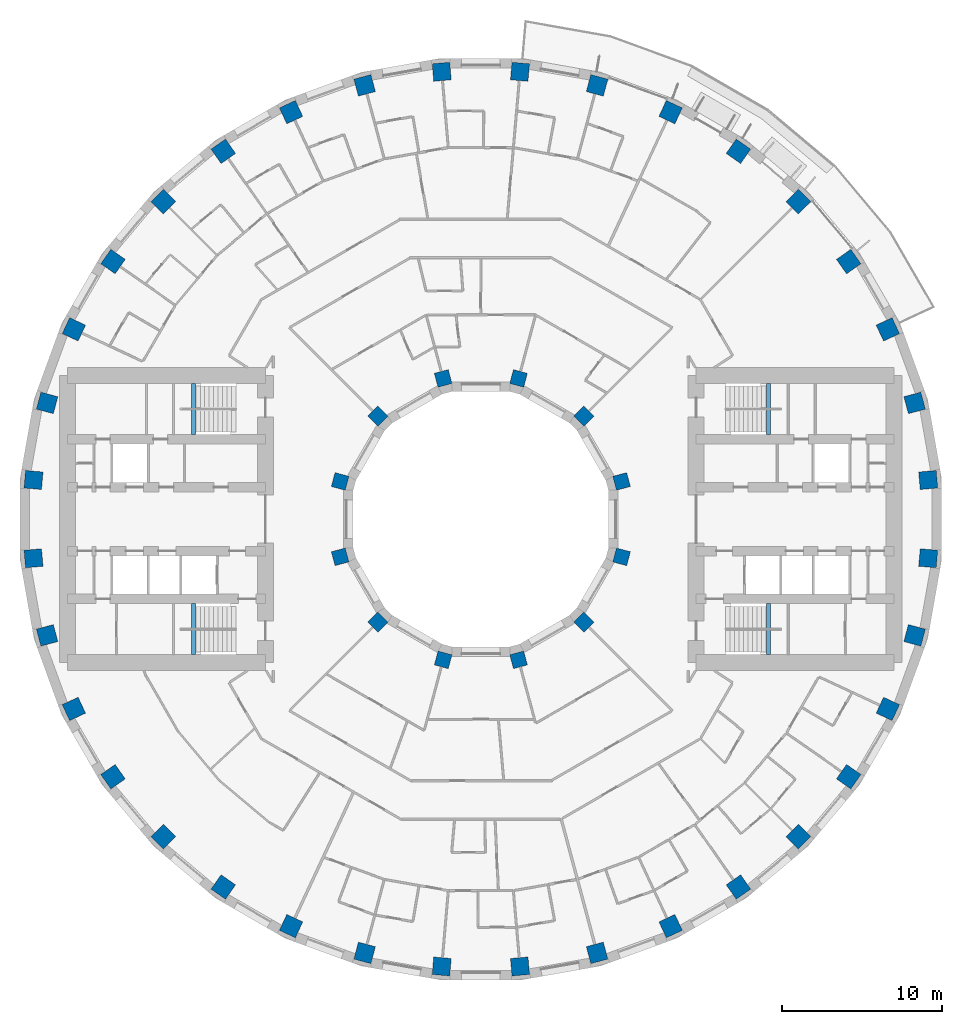
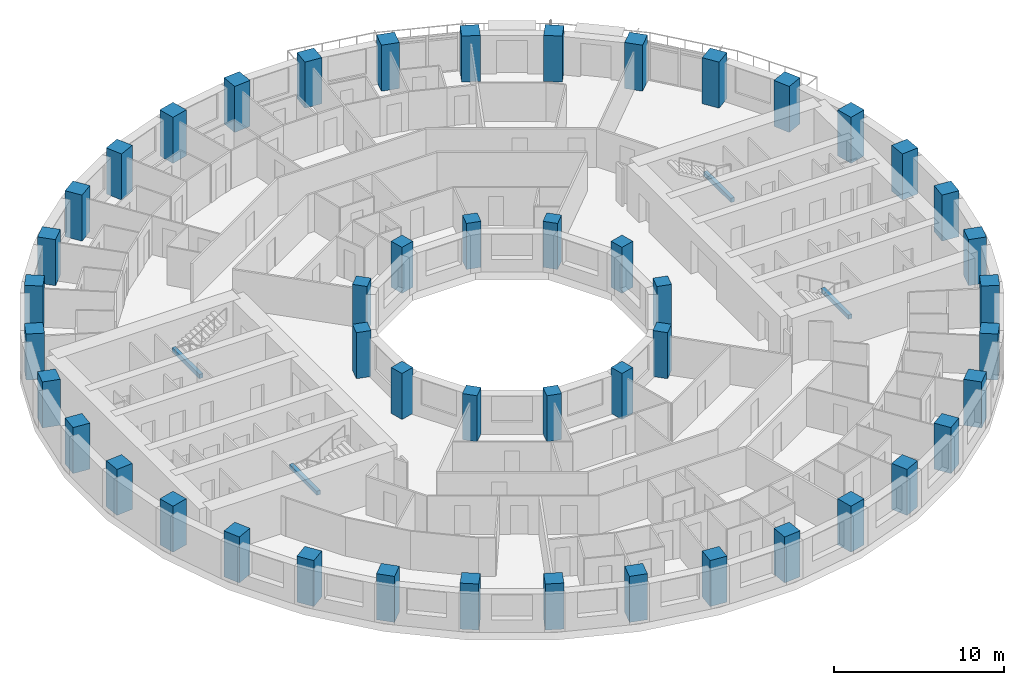
# One storey, part 1 of 15: 48 columns, 4 beams.
"""IFC4 building model written with IfcOpenShell, lengths in metres."""

from ifc_helpers import new_model, si_unit, direction, frame, origin, origin_2d, place, context, subcontext, project, spatial, rectangle, extrude, material, material_profile, profile_set, type_object, element, save


model = new_model("IFC4")

# Units and contexts
model_context = context("Model", 3, precision=1e-05, world=origin(), true_north=direction((0.0, 1.0)))
body_context = subcontext(model_context, "Body", "Model", "MODEL_VIEW")
ifc_project = project(units=[si_unit("LENGTHUNIT", "METRE"), si_unit("AREAUNIT", "SQUARE_METRE"), si_unit("VOLUMEUNIT", "CUBIC_METRE"), si_unit("PLANEANGLEUNIT", "RADIAN"), si_unit("MASSUNIT", "GRAM", prefix="KILO")], contexts=[model_context])

# Site, building, storey
site_placement = place(None, origin())
site = spatial("IfcSite", under=ifc_project, at=site_placement, CompositionType="ELEMENT")
building_placement = place(site_placement, origin())
building = spatial("IfcBuilding", under=site, at=building_placement, Name="Saqina Gate Tower", CompositionType="ELEMENT")
storey_placement = place(building_placement, frame((0.0, 0.0, 69.199951171875)))
storey = spatial("IfcBuildingStorey", under=building, at=storey_placement, Name="L19", CompositionType="ELEMENT", Elevation=69.199951171875)

# Columns
ifc_material_1 = material(Name="Concrete C70/85", Category="concrete")
ifc_material_profile_1 = material_profile(ifc_material_1, rectangle(XDim=0.89990234375, YDim=0.89990234375, at=origin_2d()), Name="RC 900x900")
ifc_profile_set_1 = profile_set([ifc_material_profile_1], Name="Concrete C70/85")
column_type_1 = type_object("IfcColumnType", Name="STR-COL-IN-A", PredefinedType="COLUMN", material=ifc_profile_set_1)
for number, where, z_axis, x_axis, name in (
    (1, (8.821044921875, 2.363525390625, 0.0), (0.0, 0.0, 1.0), (0.965925826289, 0.258819045103, 0.0), "L19-ICL01"),
    (2, (6.45751953125, 6.45751953125, 0.0), (0.0, 0.0, 1.0), (0.707106781187, 0.707106781187, 0.0), "L19-ICL02"),
    (3, (2.363525390625, 8.821044921875, 0.0), (0.0, 0.0, 1.0), (0.258819045103, 0.965925826289, 0.0), "L19-ICL03"),
    (4, (-2.363525390625, 8.821044921875, 0.0), (0.0, 0.0, 1.0), (-0.258819045103, 0.965925826289, 0.0), "L19-ICL04"),
    (5, (-6.45751953125, 6.45751953125, 0.0), (0.0, 0.0, 1.0), (-0.707106781187, 0.707106781187, 0.0), "L19-ICL05"),
    (6, (-8.821044921875, 2.363525390625, 0.0), (0.0, 0.0, 1.0), (-0.965925826289, 0.258819045103, 0.0), "L19-ICL06"),
    (7, (-8.821044921875, -2.363525390625, 0.0), (0.0, 0.0, 1.0), (-0.965925826289, -0.258819045103, 0.0), "L19-ICL07"),
    (8, (-6.45751953125, -6.45751953125, 0.0), (0.0, 0.0, 1.0), (-0.707106781187, -0.707106781187, 0.0), "L19-ICL08"),
    (9, (-2.363525390625, -8.821044921875, 0.0), (0.0, 0.0, 1.0), (-0.258819045103, -0.965925826289, 0.0), "L19-ICL09"),
    (10, (2.363525390625, -8.821044921875, 0.0), (0.0, 0.0, 1.0), (0.258819045103, -0.965925826289, 0.0), "L19-ICL10"),
    (11, (6.45751953125, -6.45751953125, 0.0), (0.0, 0.0, 1.0), (0.707106781187, -0.707106781187, 0.0), "L19-ICL11"),
    (12, (8.821044921875, -2.363525390625, 0.0), (0.0, 0.0, 1.0), (0.965925826289, -0.258819045103, 0.0), "L19-ICL12"),
):
    element("IfcColumn", number, at=place(storey_placement, frame(where, z_axis=z_axis, x_axis=x_axis)), inside=storey, type_object=column_type_1, Name=name, PredefinedType="COLUMN", context=body_context, shape_type="SweptSolid", body=[
        extrude(rectangle(XDim=0.89990234375, YDim=0.89990234375, at=origin_2d()), origin(), (0.0, 0.0, 1.0), 3.300048828125),
    ])
ifc_material_2 = material(Name="Concrete C70/85", Category="concrete")
ifc_material_profile_2 = material_profile(ifc_material_2, rectangle(XDim=1.10009765625, YDim=1.10009765625, at=origin_2d()), Name="RC 1100x1100")
ifc_profile_set_2 = profile_set([ifc_material_profile_2], Name="Concrete C70/85")
column_type_2 = type_object("IfcColumnType", Name="STR-COL-OUT-A", PredefinedType="COLUMN", material=ifc_profile_set_2)
for number, where, z_axis, x_axis, name in (
    (13, (28.04296875, 2.453369140625, 0.0), (0.0, 0.0, 1.0), (0.996194698092, 0.087155742748, 0.0), "L19-COL01"),
    (14, (27.19091796875, 7.28564453125, 0.0), (0.0, 0.0, 1.0), (0.965925826289, 0.258819045103, 0.0), "L19-COL02"),
    (15, (25.512451171875, 11.896728515625, 0.0), (0.0, 0.0, 1.0), (0.906307787037, 0.422618261741, 0.0), "L19-COL03"),
    (16, (23.05908203125, 16.146240234375, 0.0), (0.0, 0.0, 1.0), (0.819152044289, 0.573576436351, 0.0), "L19-COL04"),
    (17, (19.905029296875, 19.905029296875, 0.0), (0.0, 0.0, 1.0), (0.707106781187, 0.707106781187, 0.0), "L19-COL05"),
    (18, (16.146240234375, 23.05908203125, 0.0), (0.0, 0.0, 1.0), (0.573576436351, 0.819152044289, 0.0), "L19-COL06"),
    (19, (11.896728515625, 25.512451171875, 0.0), (0.0, 0.0, 1.0), (0.422618261741, 0.906307787037, 0.0), "L19-COL07"),
    (20, (7.28564453125, 27.19091796875, 0.0), (0.0, 0.0, 1.0), (0.258819045103, 0.965925826289, 0.0), "L19-COL08"),
    (21, (2.453369140625, 28.04296875, 0.0), (0.0, 0.0, 1.0), (0.087155742748, 0.996194698092, 0.0), "L19-COL09"),
    (22, (-2.453369140625, 28.04296875, 0.0), (0.0, 0.0, 1.0), (-0.087155742748, 0.996194698092, 0.0), "L19-COL10"),
    (23, (-7.28564453125, 27.19091796875, 0.0), (0.0, 0.0, 1.0), (-0.258819045103, 0.965925826289, 0.0), "L19-COL11"),
    (24, (-11.896728515625, 25.512451171875, 0.0), (0.0, 0.0, 1.0), (-0.422618261741, 0.906307787037, 0.0), "L19-COL12"),
    (25, (-16.146240234375, 23.05908203125, 0.0), (0.0, 0.0, 1.0), (-0.573576436351, 0.819152044289, 0.0), "L19-COL13"),
    (26, (-19.905029296875, 19.905029296875, 0.0), (0.0, 0.0, 1.0), (-0.707106781187, 0.707106781187, 0.0), "L19-COL14"),
    (27, (-23.05908203125, 16.146240234375, 0.0), (0.0, 0.0, 1.0), (-0.819152044289, 0.573576436351, 0.0), "L19-COL15"),
    (28, (-25.512451171875, 11.896728515625, 0.0), (0.0, 0.0, 1.0), (-0.906307787037, 0.422618261741, 0.0), "L19-COL16"),
    (29, (-27.19091796875, 7.28564453125, 0.0), (0.0, 0.0, 1.0), (-0.965925826289, 0.258819045103, 0.0), "L19-COL17"),
    (30, (-28.04296875, 2.453369140625, 0.0), (0.0, 0.0, 1.0), (-0.996194698092, 0.087155742748, 0.0), "L19-COL18"),
    (31, (-28.04296875, -2.453369140625, 0.0), (0.0, 0.0, 1.0), (-0.996194698092, -0.087155742748, 0.0), "L19-COL19"),
    (32, (-27.19091796875, -7.28564453125, 0.0), (0.0, 0.0, 1.0), (-0.965925826289, -0.258819045103, 0.0), "L19-COL20"),
    (33, (-25.512451171875, -11.896728515625, 0.0), (0.0, 0.0, 1.0), (-0.906307787037, -0.422618261741, 0.0), "L19-COL21"),
    (34, (-23.05908203125, -16.146240234375, 0.0), (0.0, 0.0, 1.0), (-0.819152044289, -0.573576436351, 0.0), "L19-COL22"),
    (35, (-19.905029296875, -19.905029296875, 0.0), (0.0, 0.0, 1.0), (-0.707106781187, -0.707106781187, 0.0), "L19-COL23"),
    (36, (-16.146240234375, -23.05908203125, 0.0), (0.0, 0.0, 1.0), (-0.573576436351, -0.819152044289, 0.0), "L19-COL24"),
    (37, (-11.896728515625, -25.512451171875, 0.0), (0.0, 0.0, 1.0), (-0.422618261741, -0.906307787037, 0.0), "L19-COL25"),
    (38, (-7.28564453125, -27.19091796875, 0.0), (0.0, 0.0, 1.0), (-0.258819045103, -0.965925826289, 0.0), "L19-COL26"),
    (39, (-2.453369140625, -28.04296875, 0.0), (0.0, 0.0, 1.0), (-0.087155742748, -0.996194698092, 0.0), "L19-COL27"),
    (40, (2.453369140625, -28.04296875, 0.0), (0.0, 0.0, 1.0), (0.087155742748, -0.996194698092, 0.0), "L19-COL28"),
    (41, (7.28564453125, -27.19091796875, 0.0), (0.0, 0.0, 1.0), (0.258819045103, -0.965925826289, 0.0), "L19-COL29"),
    (42, (11.896728515625, -25.512451171875, 0.0), (0.0, 0.0, 1.0), (0.422618261741, -0.906307787037, 0.0), "L19-COL30"),
    (43, (16.146240234375, -23.05908203125, 0.0), (0.0, 0.0, 1.0), (0.573576436351, -0.819152044289, 0.0), "L19-COL31"),
    (44, (19.905029296875, -19.905029296875, 0.0), (0.0, 0.0, 1.0), (0.707106781187, -0.707106781187, 0.0), "L19-COL32"),
    (45, (23.05908203125, -16.146240234375, 0.0), (0.0, 0.0, 1.0), (0.819152044289, -0.573576436351, 0.0), "L19-COL33"),
    (46, (25.512451171875, -11.896728515625, 0.0), (0.0, 0.0, 1.0), (0.906307787037, -0.422618261741, 0.0), "L19-COL34"),
    (47, (27.19091796875, -7.28564453125, 0.0), (0.0, 0.0, 1.0), (0.965925826289, -0.258819045103, 0.0), "L19-COL35"),
    (48, (28.04296875, -2.453369140625, 0.0), (0.0, 0.0, 1.0), (0.996194698092, -0.087155742748, 0.0), "L19-COL36"),
):
    element("IfcColumn", number, at=place(storey_placement, frame(where, z_axis=z_axis, x_axis=x_axis)), inside=storey, type_object=column_type_2, Name=name, PredefinedType="COLUMN", context=body_context, shape_type="SweptSolid", body=[
        extrude(rectangle(XDim=1.10009765625, YDim=1.10009765625, at=origin_2d()), origin(), (0.0, 0.0, 1.0), 3.300048828125),
    ])

# Beams
ifc_material_3 = material(Name="Concrete C40/50", Category="concrete")
ifc_material_profile_3 = material_profile(ifc_material_3, rectangle(XDim=0.25, YDim=0.300048828125, at=origin_2d()), Name="STAIR LANDING BEAM")
ifc_profile_set_3 = profile_set([ifc_material_profile_3], Name="Concrete C40/50")
beam_type = type_object("IfcBeamType", Name="STAIR LANDING BEAM", PredefinedType="BEAM", material=ifc_profile_set_3)
for number, where, z_axis, x_axis, name in (
    (49, (18.02001953125, 5.300048828125, 1.25), (0.0, 1.0, 0.0), (-1.0, 0.0, 0.0), "EXIT STAIR 1 LANDING BEAM"),
    (50, (18.02001953125, -8.5, 1.25), (0.0, 1.0, 0.0), (-1.0, 0.0, 0.0), "EXIT STAIR 2 LANDING BEAM"),
    (51, (-18.02001953125, 5.300048828125, 1.25), (0.0, 1.0, 0.0), (-1.0, 0.0, 0.0), "EXIT STAIR 3 LANDING BEAM"),
    (52, (-18.02001953125, -8.5, 1.25), (0.0, 1.0, 0.0), (-1.0, 0.0, 0.0), "EXIT STAIR 4 LANDING BEAM"),
):
    element("IfcBeam", number, at=place(storey_placement, frame(where, z_axis=z_axis, x_axis=x_axis)), inside=storey, type_object=beam_type, Name=name, PredefinedType="BEAM", context=body_context, shape_type="SweptSolid", body=[
        extrude(rectangle(XDim=0.25, YDim=0.300048828125, at=origin_2d()), origin(), (0.0, 0.0, 1.0), 3.199951171875),
    ])

save(model, "model.ifc")
